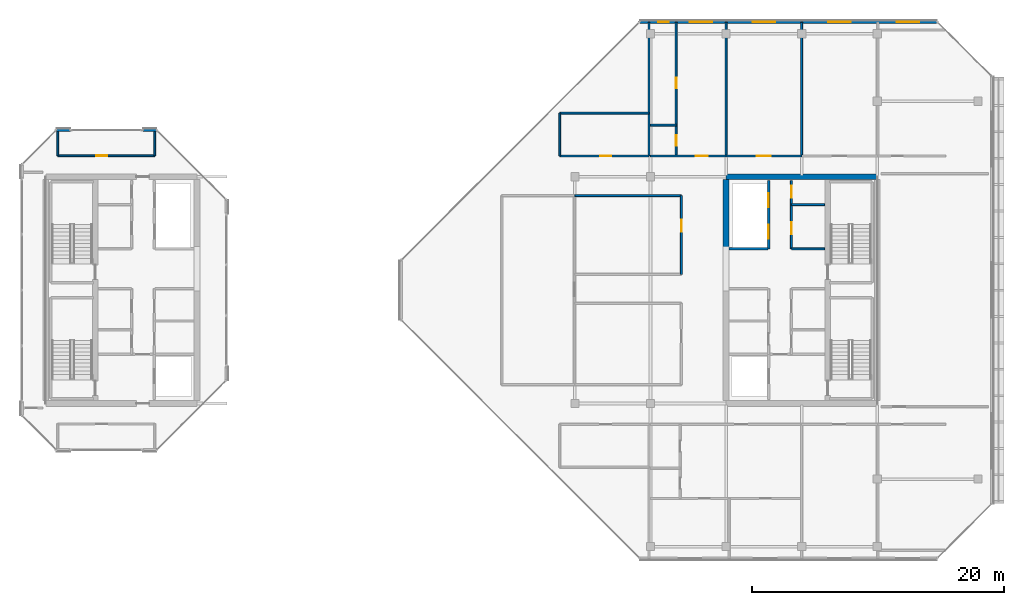
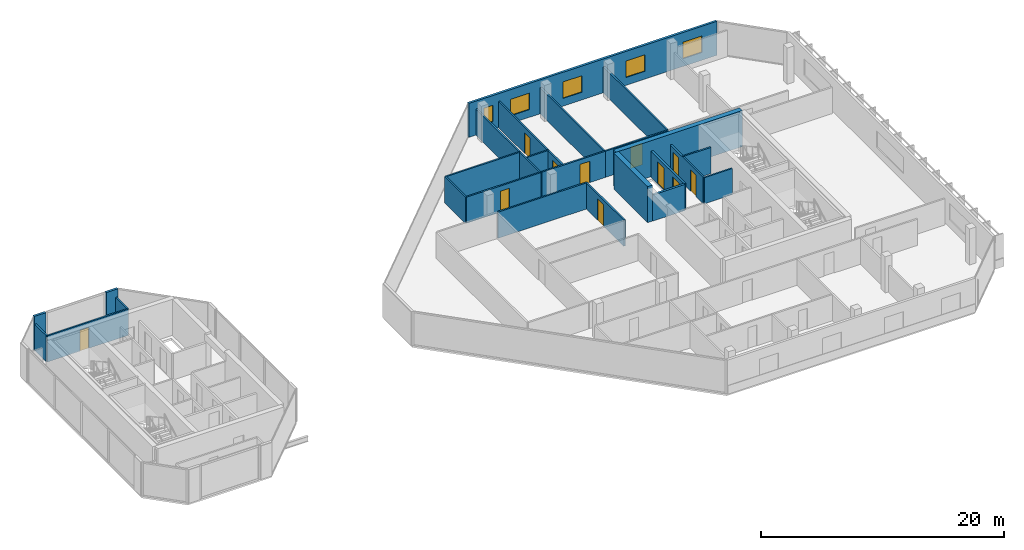
# One storey, part 23 of 28: 25 walls, 11 doors, 5 windows, 16 openings.
"""IFC4 building model written with IfcOpenShell, lengths in metres."""

from ifc_helpers import new_model, si_unit, direction, frame, frame_2d, origin, place, context, subcontext, project, spatial, rectangle, extrude, material, layer, layer_set, type_object, element, fill, save


model = new_model("IFC4")

# Units and contexts
model_context = context("Model", 3, precision=1e-05, world=origin(), true_north=direction((0.0, 1.0)))
body_context = subcontext(model_context, "Body", "Model", "MODEL_VIEW")
ifc_project = project(units=[si_unit("LENGTHUNIT", "METRE"), si_unit("AREAUNIT", "SQUARE_METRE"), si_unit("VOLUMEUNIT", "CUBIC_METRE"), si_unit("PLANEANGLEUNIT", "RADIAN"), si_unit("MASSUNIT", "GRAM", prefix="KILO")], contexts=[model_context])

# Site, building, storey
site_placement = place(None, origin())
site = spatial("IfcSite", under=ifc_project, at=site_placement, CompositionType="ELEMENT")
building_placement = place(site_placement, origin())
building = spatial("IfcBuilding", under=site, at=building_placement, Name="Tanjung Sevakor Pilgrim Tower", CompositionType="ELEMENT")
storey_placement = place(building_placement, frame((0.0, 0.0, 246.179931640625)))
storey = spatial("IfcBuildingStorey", under=building, at=storey_placement, Name="L69", CompositionType="ELEMENT", Elevation=246.179931640625)

# Walls
ifc_material_1 = material(Name="Concrete C60/75", Category="concrete")
ifc_layer_1 = layer(ifc_material_1, 0.449951171875)
ifc_layer_set_1 = layer_set([ifc_layer_1], Name="WALL-CW-450")
wall_type_1 = type_object("IfcWallType", Name="WALL-CW-450", PredefinedType="SHEAR", material=ifc_layer_set_1)
wall_1_placement = place(storey_placement, frame((90.0, 42.60009765625, 0.0), z_axis=(0.0, 0.0, 1.0), x_axis=(-1.0, 0.0, 0.0)))
element("IfcWall", 1, at=wall_1_placement, inside=storey, type_object=wall_type_1, Name="L69 E Core North Shear Wall", PredefinedType="SHEAR", context=body_context, shape_type="SweptSolid", body=[
    extrude(rectangle(XDim=12.0, YDim=0.449951171875, at=frame_2d((6.0, 0.0))), origin(), (0.0, 0.0, 1.0), 3.630126953125),
])
wall_2_placement = place(storey_placement, frame((78.0, 36.800048828125, 0.0), z_axis=(0.0, 0.0, 1.0), x_axis=(0.0, 1.0, 0.0)))
element("IfcWall", 2, at=wall_2_placement, inside=storey, type_object=wall_type_1, Name="L69 E Core Inner Shear Wall North", PredefinedType="SHEAR", context=body_context, shape_type="SweptSolid", body=[
    extrude(rectangle(XDim=5.574951171875, YDim=0.449951171875, at=frame_2d((2.78759765625, 0.0))), origin(), (0.0, 0.0, 1.0), 3.630126953125),
])
ifc_material_2 = material(Name="Concrete C40/50", Category="concrete")
ifc_layer_2 = layer(ifc_material_2, 0.14990234375)
ifc_layer_set_2 = layer_set([ifc_layer_2], Name="WT-COMP-150")
wall_type_2 = type_object("IfcWallType", Name="WT-COMP-150", PredefinedType="SOLIDWALL", material=ifc_layer_set_2)
for number, where, z_axis, x_axis, name in (
    (3, (83.199951171875, 36.8798828125, 0.0), (0.0, 0.0, 1.0), (1.0, 0.0, 0.0), "L69 Partition IW-L69-022"),
    (4, (83.199951171875, 40.389892578125, 0.0), (0.0, 0.0, 1.0), (1.0, 0.0, 0.0), "L69 Partition IW-L69-023"),
):
    element("IfcWall", number, at=place(storey_placement, frame(where, z_axis=z_axis, x_axis=x_axis)), inside=storey, type_object=wall_type_2, Name=name, PredefinedType="SOLIDWALL", context=body_context, shape_type="SweptSolid", body=[
        extrude(rectangle(XDim=2.630126953125, YDim=0.14990234375, at=frame_2d((1.31494140625, 0.0))), origin(), (0.0, 0.0, 1.0), 2.6298828125),
    ])

# Wall, openings, doors
wall_3_placement = place(storey_placement, frame((83.179931640625, 36.8798828125, 0.0), z_axis=(0.0, 0.0, 1.0), x_axis=(0.0, 1.0, 0.0)))
wall_3 = element("IfcWall", 5, at=wall_3_placement, inside=storey, type_object=wall_type_2, Name="L69 Partition IW-L69-024", PredefinedType="SOLIDWALL", context=body_context, shape_type="SweptSolid", body=[
    extrude(rectangle(XDim=5.420166015625, YDim=0.14990234375, at=frame_2d((2.7099609375, 0.0))), origin(), (0.0, 0.0, 1.0), 2.6298828125),
])
opening_1_placement = place(wall_3_placement, frame((1.14990234375, 0.0, 0.0)))
opening_1 = element("IfcOpeningElement", 6, at=opening_1_placement, cuts=wall_3, Name="Opening ID-FD2", PredefinedType="OPENING", context=body_context, shape_type="SweptSolid", body=[
    extrude(rectangle(XDim=0.949951171875, YDim=2.14990234375, at=frame_2d((0.47509765625, 1.074951171875))), frame((0.0, 0.0849609375, 0.0), z_axis=(0.0, -1.0, 0.0), x_axis=(1.0, 0.0, 0.0)), (0.0, 0.0, 1.0), 0.169921875),
])
opening_2_placement = place(wall_3_placement, frame((4.050048828125, 0.0, 0.0)))
opening_2 = element("IfcOpeningElement", 7, at=opening_2_placement, cuts=wall_3, Name="Opening ID-FD2", PredefinedType="OPENING", context=body_context, shape_type="SweptSolid", body=[
    extrude(rectangle(XDim=0.949951171875, YDim=2.14990234375, at=frame_2d((0.47509765625, 1.074951171875))), frame((0.0, 0.0849609375, 0.0), z_axis=(0.0, -1.0, 0.0), x_axis=(1.0, 0.0, 0.0)), (0.0, 0.0, 1.0), 0.169921875),
])
ifc_material_3 = material(Name="Fire-Rated Timber", Category="wood")
door_type_1 = type_object("IfcDoorType", Name="DT-FIRE-950", OperationType="NOTDEFINED", PredefinedType="DOOR", material=ifc_material_3)
door_1_placement = place(opening_1_placement, origin())
door_1 = element("IfcDoor", 8, at=door_1_placement, inside=storey, type_object=door_type_1, Name="L69 Core Study Room Door", OperationType="SINGLE_SWING_LEFT", OverallHeight=2.14990234375, OverallWidth=0.949951171875, PredefinedType="DOOR", context=body_context, shape_type="SweptSolid", body=[
    extrude(rectangle(XDim=0.949951171875, YDim=2.14990234375, at=frame_2d((0.47509765625, 1.074951171875))), frame((0.0, 0.02490234375, 0.0), z_axis=(0.0, -1.0, 0.0), x_axis=(1.0, 0.0, 0.0)), (0.0, 0.0, 1.0), 0.050048828125),
])
fill(opening_1, door_1)
door_2_placement = place(opening_2_placement, origin())
door_2 = element("IfcDoor", 9, at=door_2_placement, inside=storey, type_object=door_type_1, Name="L69 Service Store Door", OperationType="SINGLE_SWING_RIGHT", OverallHeight=2.14990234375, OverallWidth=0.949951171875, PredefinedType="DOOR", context=body_context, shape_type="SweptSolid", body=[
    extrude(rectangle(XDim=0.949951171875, YDim=2.14990234375, at=frame_2d((0.47509765625, 1.074951171875))), frame((0.0, 0.02490234375, 0.0), z_axis=(0.0, -1.0, 0.0), x_axis=(1.0, 0.0, 0.0)), (0.0, 0.0, 1.0), 0.050048828125),
])
fill(opening_2, door_2)

# Wall, opening, door
wall_4_placement = place(storey_placement, frame((24.949951171875, 44.27001953125, 0.0), z_axis=(0.0, 0.0, 1.0), x_axis=(1.0, 0.0, 0.0)))
wall_4 = element("IfcWall", 10, at=wall_4_placement, inside=storey, type_object=wall_type_2, Name="L69 Partition IW-L69-032", PredefinedType="SOLIDWALL", context=body_context, shape_type="SweptSolid", body=[
    extrude(rectangle(XDim=7.699951171875, YDim=0.14990234375, at=frame_2d((3.85009765625, 0.0))), origin(), (0.0, 0.0, 1.0), 2.6298828125),
])
opening_3_placement = place(wall_4_placement, frame((3.074951171875, 0.0, 0.0)))
opening_3 = element("IfcOpeningElement", 11, at=opening_3_placement, cuts=wall_4, Name="Opening ID-WC1", PredefinedType="OPENING", context=body_context, shape_type="SweptSolid", body=[
    extrude(rectangle(XDim=0.85009765625, YDim=2.10009765625, at=frame_2d((0.425048828125, 1.050048828125))), frame((0.0, 0.0849609375, 0.0), z_axis=(0.0, -1.0, 0.0), x_axis=(1.0, 0.0, 0.0)), (0.0, 0.0, 1.0), 0.169921875),
])
ifc_material_4 = material(Name="Moisture-Resistant Timber", Category="wood")
door_type_2 = type_object("IfcDoorType", Name="DT-INT-850", OperationType="NOTDEFINED", PredefinedType="DOOR", material=ifc_material_4)
door_3_placement = place(opening_3_placement, origin())
door_3 = element("IfcDoor", 12, at=door_3_placement, inside=storey, type_object=door_type_2, Name="L69 West Peak North Observatory Door", OperationType="SINGLE_SWING_LEFT", OverallHeight=2.10009765625, OverallWidth=0.85009765625, PredefinedType="DOOR", context=body_context, shape_type="SweptSolid", body=[
    extrude(rectangle(XDim=0.85009765625, YDim=2.10009765625, at=frame_2d((0.425048828125, 1.050048828125))), frame((0.0, 0.02490234375, 0.0), z_axis=(0.0, -1.0, 0.0), x_axis=(1.0, 0.0, 0.0)), (0.0, 0.0, 1.0), 0.050048828125),
])
fill(opening_3, door_3)

# Walls
for number, where, z_axis, x_axis, name in (
    (13, (24.949951171875, 44.27001953125, 0.0), (0.0, 0.0, 1.0), (0.0, 1.0, 0.0), "L69 Partition IW-L69-033"),
    (14, (32.64990234375, 44.27001953125, 0.0), (0.0, 0.0, 1.0), (0.0, 1.0, 0.0), "L69 Partition IW-L69-034"),
):
    element("IfcWall", number, at=place(storey_placement, frame(where, z_axis=z_axis, x_axis=x_axis)), inside=storey, type_object=wall_type_2, Name=name, PredefinedType="SOLIDWALL", context=body_context, shape_type="SweptSolid", body=[
        extrude(rectangle(XDim=2.010009765625, YDim=0.14990234375, at=frame_2d((1.0048828125, 0.0))), origin(), (0.0, 0.0, 1.0), 2.6298828125),
    ])

# Wall, opening, door
wall_5_placement = place(storey_placement, frame((64.800048828125, 44.25, 0.0), z_axis=(0.0, 0.0, 1.0), x_axis=(1.0, 0.0, 0.0)))
wall_5 = element("IfcWall", 15, at=wall_5_placement, inside=storey, type_object=wall_type_2, Name="L69 Partition IW-L69-039", PredefinedType="SOLIDWALL", context=body_context, shape_type="SweptSolid", body=[
    extrude(rectangle(XDim=7.079833984375, YDim=0.14990234375, at=frame_2d((3.5400390625, 0.0))), origin(), (0.0, 0.0, 1.0), 2.6298828125),
])
opening_4_placement = place(wall_5_placement, frame((3.22509765625, 0.0, 0.0)))
opening_4 = element("IfcOpeningElement", 16, at=opening_4_placement, cuts=wall_5, Name="Opening ID-WC1", PredefinedType="OPENING", context=body_context, shape_type="SweptSolid", body=[
    extrude(rectangle(XDim=0.85009765625, YDim=2.10009765625, at=frame_2d((0.425048828125, 1.050048828125))), frame((0.0, 0.0849609375, 0.0), z_axis=(0.0, -1.0, 0.0), x_axis=(1.0, 0.0, 0.0)), (0.0, 0.0, 1.0), 0.169921875),
])
door_4_placement = place(opening_4_placement, origin())
door_4 = element("IfcDoor", 17, at=door_4_placement, inside=storey, type_object=door_type_2, Name="L69 NW Crown Library Door", OperationType="SINGLE_SWING_LEFT", OverallHeight=2.10009765625, OverallWidth=0.85009765625, PredefinedType="DOOR", context=body_context, shape_type="SweptSolid", body=[
    extrude(rectangle(XDim=0.85009765625, YDim=2.10009765625, at=frame_2d((0.425048828125, 1.050048828125))), frame((0.0, 0.02490234375, 0.0), z_axis=(0.0, -1.0, 0.0), x_axis=(1.0, 0.0, 0.0)), (0.0, 0.0, 1.0), 0.050048828125),
])
fill(opening_4, door_4)

# Walls
wall_6_placement = place(storey_placement, frame((64.800048828125, 47.64990234375, 0.0), z_axis=(0.0, 0.0, 1.0), x_axis=(1.0, 0.0, 0.0)))
element("IfcWall", 18, at=wall_6_placement, inside=storey, type_object=wall_type_2, Name="L69 Partition IW-L69-040", PredefinedType="SOLIDWALL", context=body_context, shape_type="SweptSolid", body=[
    extrude(rectangle(XDim=7.079833984375, YDim=0.14990234375, at=frame_2d((3.5400390625, 0.0))), origin(), (0.0, 0.0, 1.0), 2.6298828125),
])
wall_7_placement = place(storey_placement, frame((64.800048828125, 44.25, 0.0), z_axis=(0.0, 0.0, 1.0), x_axis=(0.0, 1.0, 0.0)))
element("IfcWall", 19, at=wall_7_placement, inside=storey, type_object=wall_type_2, Name="L69 Partition IW-L69-041", PredefinedType="SOLIDWALL", context=body_context, shape_type="SweptSolid", body=[
    extrude(rectangle(XDim=3.39990234375, YDim=0.14990234375, at=frame_2d((1.699951171875, 0.0))), origin(), (0.0, 0.0, 1.0), 2.6298828125),
])
for number, where, z_axis, x_axis, name in (
    (20, (71.8798828125, 44.25, 0.0), (0.0, 0.0, 1.0), (0.0, 1.0, 0.0), "L69 Partition IW-L69-042"),
    (21, (78.0, 44.25, 0.0), (0.0, 0.0, 1.0), (0.0, 1.0, 0.0), "L69 Partition IW-L69-058"),
):
    element("IfcWall", number, at=place(storey_placement, frame(where, z_axis=z_axis, x_axis=x_axis)), inside=storey, type_object=wall_type_2, Name=name, PredefinedType="SOLIDWALL", context=body_context, shape_type="SweptSolid", body=[
        extrude(rectangle(XDim=10.610107421875, YDim=0.14990234375, at=frame_2d((5.30517578125, 0.0))), origin(), (0.0, 0.0, 1.0), 2.6298828125),
    ])

# Wall, opening, door
wall_8_placement = place(storey_placement, frame((72.0, 44.25, 0.0), z_axis=(0.0, 0.0, 1.0), x_axis=(1.0, 0.0, 0.0)))
wall_8 = element("IfcWall", 22, at=wall_8_placement, inside=storey, type_object=wall_type_2, Name="L69 Partition IW-L69-061", PredefinedType="SOLIDWALL", context=body_context, shape_type="SweptSolid", body=[
    extrude(rectangle(XDim=6.0, YDim=0.14990234375, at=frame_2d((3.0, 0.0))), origin(), (0.0, 0.0, 1.0), 2.6298828125),
])
opening_5_placement = place(wall_8_placement, frame((3.5849609375, 0.0, 0.0)))
opening_5 = element("IfcOpeningElement", 23, at=opening_5_placement, cuts=wall_8, Name="Opening ID-FD2", PredefinedType="OPENING", context=body_context, shape_type="SweptSolid", body=[
    extrude(rectangle(XDim=0.949951171875, YDim=2.14990234375, at=frame_2d((0.47509765625, 1.074951171875))), frame((0.0, 0.0849609375, 0.0), z_axis=(0.0, -1.0, 0.0), x_axis=(1.0, 0.0, 0.0)), (0.0, 0.0, 1.0), 0.169921875),
])
door_5_placement = place(opening_5_placement, origin())
door_5 = element("IfcDoor", 24, at=door_5_placement, inside=storey, type_object=door_type_1, Name="Hotel Guestroom Entrance", OperationType="SINGLE_SWING_LEFT", OverallHeight=2.14990234375, OverallWidth=0.949951171875, PredefinedType="DOOR", context=body_context, shape_type="SweptSolid", body=[
    extrude(rectangle(XDim=0.949951171875, YDim=2.14990234375, at=frame_2d((0.47509765625, 1.074951171875))), frame((0.0, 0.02490234375, 0.0), z_axis=(0.0, -1.0, 0.0), x_axis=(1.0, 0.0, 0.0)), (0.0, 0.0, 1.0), 0.050048828125),
])
fill(opening_5, door_5)

# Wall
wall_9_placement = place(storey_placement, frame((84.0, 44.25, 0.0), z_axis=(0.0, 0.0, 1.0), x_axis=(0.0, 1.0, 0.0)))
element("IfcWall", 25, at=wall_9_placement, inside=storey, type_object=wall_type_2, Name="L69 Partition IW-L69-062", PredefinedType="SOLIDWALL", context=body_context, shape_type="SweptSolid", body=[
    extrude(rectangle(XDim=10.610107421875, YDim=0.14990234375, at=frame_2d((5.30517578125, 0.0))), origin(), (0.0, 0.0, 1.0), 2.6298828125),
])

# Wall, opening, door
wall_10_placement = place(storey_placement, frame((78.0, 44.25, 0.0), z_axis=(0.0, 0.0, 1.0), x_axis=(1.0, 0.0, 0.0)))
wall_10 = element("IfcWall", 26, at=wall_10_placement, inside=storey, type_object=wall_type_2, Name="L69 Partition IW-L69-063", PredefinedType="SOLIDWALL", context=body_context, shape_type="SweptSolid", body=[
    extrude(rectangle(XDim=6.0, YDim=0.14990234375, at=frame_2d((3.0, 0.0))), origin(), (0.0, 0.0, 1.0), 2.6298828125),
])
opening_6_placement = place(wall_10_placement, frame((2.449951171875, 0.0, 0.0)))
opening_6 = element("IfcOpeningElement", 27, at=opening_6_placement, cuts=wall_10, Name="Opening ID-FD0", PredefinedType="OPENING", context=body_context, shape_type="SweptSolid", body=[
    extrude(rectangle(XDim=1.10009765625, YDim=2.14990234375, at=frame_2d((0.550048828125, 1.074951171875))), frame((0.0, 0.0849609375, 0.0), z_axis=(0.0, -1.0, 0.0), x_axis=(1.0, 0.0, 0.0)), (0.0, 0.0, 1.0), 0.169921875),
])
ifc_material_5 = material(Name="Fire-Rated Steel S355J2", Category="steel")
door_type_3 = type_object("IfcDoorType", Name="DT-FIRE-1100", OperationType="NOTDEFINED", PredefinedType="DOOR", material=ifc_material_5)
door_6_placement = place(opening_6_placement, origin())
door_6 = element("IfcDoor", 28, at=door_6_placement, inside=storey, type_object=door_type_3, Name="Seminar Room Door", OperationType="SINGLE_SWING_RIGHT", OverallHeight=2.14990234375, OverallWidth=1.10009765625, PredefinedType="DOOR", context=body_context, shape_type="SweptSolid", body=[
    extrude(rectangle(XDim=1.10009765625, YDim=2.14990234375, at=frame_2d((0.550048828125, 1.074951171875))), frame((0.0, 0.02490234375, 0.0), z_axis=(0.0, -1.0, 0.0), x_axis=(1.0, 0.0, 0.0)), (0.0, 0.0, 1.0), 0.050048828125),
])
fill(opening_6, door_6)

# Wall
wall_11_placement = place(storey_placement, frame((66.0, 41.10009765625, 0.0), z_axis=(0.0, 0.0, 1.0), x_axis=(1.0, 0.0, 0.0)))
element("IfcWall", 29, at=wall_11_placement, inside=storey, type_object=wall_type_2, Name="L69 Partition IW-L69-073", PredefinedType="SOLIDWALL", context=body_context, shape_type="SweptSolid", body=[
    extrude(rectangle(XDim=8.449951171875, YDim=0.14990234375, at=frame_2d((4.22509765625, 0.0))), origin(), (0.0, 0.0, 1.0), 2.6298828125),
])

# Wall, opening, door
wall_12_placement = place(storey_placement, frame((74.449951171875, 34.85009765625, 0.0), z_axis=(0.0, 0.0, 1.0), x_axis=(0.0, 1.0, 0.0)))
wall_12 = element("IfcWall", 30, at=wall_12_placement, inside=storey, type_object=wall_type_2, Name="L69 Partition IW-L69-074", PredefinedType="SOLIDWALL", context=body_context, shape_type="SweptSolid", body=[
    extrude(rectangle(XDim=6.25, YDim=0.14990234375, at=frame_2d((3.125, 0.0))), origin(), (0.0, 0.0, 1.0), 2.6298828125),
])
opening_7_placement = place(wall_12_placement, frame((3.375, 0.0, 0.0)))
opening_7 = element("IfcOpeningElement", 31, at=opening_7_placement, cuts=wall_12, Name="Opening ID-RM1", PredefinedType="OPENING", context=body_context, shape_type="SweptSolid", body=[
    extrude(rectangle(XDim=0.949951171875, YDim=2.14990234375, at=frame_2d((0.47509765625, 1.074951171875))), frame((0.0, 0.0849609375, 0.0), z_axis=(0.0, -1.0, 0.0), x_axis=(1.0, 0.0, 0.0)), (0.0, 0.0, 1.0), 0.169921875),
])
ifc_material_6 = material(Name="Hardwood Timber", Category="wood")
door_type_4 = type_object("IfcDoorType", Name="DT-INT-950", OperationType="NOTDEFINED", PredefinedType="DOOR", material=ifc_material_6)
door_7_placement = place(opening_7_placement, origin())
door_7 = element("IfcDoor", 32, at=door_7_placement, inside=storey, type_object=door_type_4, Name="L69 East Peak Reading Door", OperationType="SINGLE_SWING_RIGHT", OverallHeight=2.14990234375, OverallWidth=0.949951171875, PredefinedType="DOOR", context=body_context, shape_type="SweptSolid", body=[
    extrude(rectangle(XDim=0.949951171875, YDim=2.14990234375, at=frame_2d((0.47509765625, 1.074951171875))), frame((0.0, 0.02490234375, 0.0), z_axis=(0.0, -1.0, 0.0), x_axis=(1.0, 0.0, 0.0)), (0.0, 0.0, 1.0), 0.050048828125),
])
fill(opening_7, door_7)

# Walls
ifc_material_7 = material(Name="Precast concrete C45/55", Category="concrete")
ifc_layer_3 = layer(ifc_material_7, 0.219970703125)
ifc_layer_set_3 = layer_set([ifc_layer_3], Name="WT-EW-STN4")
wall_type_3 = type_object("IfcWallType", Name="WT-EW-STN4", PredefinedType="SOLIDWALL", material=ifc_layer_set_3)
wall_13_placement = place(storey_placement, frame((32.804443359375, 46.2900390625, 0.0), z_axis=(0.0, 0.0, 1.0), x_axis=(-1.0, 0.0, 0.0)))
element("IfcWall", 33, at=wall_13_placement, inside=storey, type_object=wall_type_3, Name="L69 WEST Crown Pier 4-1A", PredefinedType="SOLIDWALL", context=body_context, shape_type="SweptSolid", body=[
    extrude(rectangle(XDim=1.10009765625, YDim=0.219970703125, at=frame_2d((0.550048828125, 0.0))), origin(), (0.0, 0.0, 1.0), 3.409912109375),
])
wall_14_placement = place(storey_placement, frame((25.945556640625, 46.2900390625, 0.0), z_axis=(0.0, 0.0, 1.0), x_axis=(-1.0, 0.0, 0.0)))
element("IfcWall", 34, at=wall_14_placement, inside=storey, type_object=wall_type_3, Name="L69 WEST Crown Pier 4-1B", PredefinedType="SOLIDWALL", context=body_context, shape_type="SweptSolid", body=[
    extrude(rectangle(XDim=1.099853515625, YDim=0.219970703125, at=frame_2d((0.5498046875, 0.0))), origin(), (0.0, 0.0, 1.0), 3.409912109375),
])

# Wall, openings, windows
wall_15_placement = place(storey_placement, frame((94.75439453125, 54.889892578125, 0.0), z_axis=(0.0, 0.0, 1.0), x_axis=(-1.0, 0.0, 0.0)))
wall_15 = element("IfcWall", 35, at=wall_15_placement, inside=storey, type_object=wall_type_3, Name="L69 EAST Exterior Wall 5", PredefinedType="SOLIDWALL", context=body_context, shape_type="SweptSolid", body=[
    extrude(rectangle(XDim=23.60888671875, YDim=0.219970703125, at=frame_2d((11.804443359375, 0.0))), origin(), (0.0, 0.0, 1.0), 3.409912109375),
])
opening_8_placement = place(wall_15_placement, frame((1.42724609375, 0.0, 0.780029296875)))
opening_8 = element("IfcOpeningElement", 36, at=opening_8_placement, cuts=wall_15, Name="Opening WN-Z3-1660", PredefinedType="OPENING", context=body_context, shape_type="SweptSolid", body=[
    extrude(rectangle(XDim=1.800048828125, YDim=1.659912109375, at=frame_2d((0.89990234375, 0.830078125))), frame((0.0, 0.119873046875, 0.0), z_axis=(0.0, -1.0, 0.0), x_axis=(1.0, 0.0, 0.0)), (0.0, 0.0, 1.0), 0.239990234375),
])
opening_9_placement = place(wall_15_placement, frame((21.29931640625, 0.0, 0.780029296875)))
opening_9 = element("IfcOpeningElement", 37, at=opening_9_placement, cuts=wall_15, Name="Opening WN-SLM", PredefinedType="OPENING", context=body_context, shape_type="SweptSolid", body=[
    extrude(rectangle(XDim=0.85009765625, YDim=1.64990234375, at=frame_2d((0.425048828125, 0.824951171875))), frame((0.0, 0.119873046875, 0.0), z_axis=(0.0, -1.0, 0.0), x_axis=(1.0, 0.0, 0.0)), (0.0, 0.0, 1.0), 0.239990234375),
])
opening_10_placement = place(wall_15_placement, frame((17.844482421875, 0.0, 0.780029296875)))
opening_10 = element("IfcOpeningElement", 38, at=opening_10_placement, cuts=wall_15, Name="Opening WN-Z3-1660", PredefinedType="OPENING", context=body_context, shape_type="SweptSolid", body=[
    extrude(rectangle(XDim=1.800048828125, YDim=1.659912109375, at=frame_2d((0.89990234375, 0.830078125))), frame((0.0, 0.119873046875, 0.0), z_axis=(0.0, -1.0, 0.0), x_axis=(1.0, 0.0, 0.0)), (0.0, 0.0, 1.0), 0.239990234375),
])
opening_11_placement = place(wall_15_placement, frame((12.8544921875, 0.0, 0.780029296875)))
opening_11 = element("IfcOpeningElement", 39, at=opening_11_placement, cuts=wall_15, Name="Opening WN-Z3-1660", PredefinedType="OPENING", context=body_context, shape_type="SweptSolid", body=[
    extrude(rectangle(XDim=1.800048828125, YDim=1.659912109375, at=frame_2d((0.89990234375, 0.830078125))), frame((0.0, 0.119873046875, 0.0), z_axis=(0.0, -1.0, 0.0), x_axis=(1.0, 0.0, 0.0)), (0.0, 0.0, 1.0), 0.239990234375),
])
opening_12_placement = place(wall_15_placement, frame((6.8544921875, 0.0, 0.780029296875)))
opening_12 = element("IfcOpeningElement", 40, at=opening_12_placement, cuts=wall_15, Name="Opening WN-Z3-1660", PredefinedType="OPENING", context=body_context, shape_type="SweptSolid", body=[
    extrude(rectangle(XDim=1.800048828125, YDim=1.659912109375, at=frame_2d((0.89990234375, 0.830078125))), frame((0.0, 0.119873046875, 0.0), z_axis=(0.0, -1.0, 0.0), x_axis=(1.0, 0.0, 0.0)), (0.0, 0.0, 1.0), 0.239990234375),
])
ifc_material_8 = material(Name="Thermally Broken Aluminium and Low-E Glass", Category="aluminium")
window_type_1 = type_object("IfcWindowType", Name="WTYP-WN-SLM", PartitioningType="SINGLE_PANEL", PredefinedType="WINDOW", material=ifc_material_8)
window_1_placement = place(opening_9_placement, origin())
window_1 = element("IfcWindow", 41, at=window_1_placement, inside=storey, type_object=window_type_1, Name="L69 Facade Window 02", OverallHeight=1.64990234375, OverallWidth=0.85009765625, PartitioningType="SINGLE_PANEL", PredefinedType="WINDOW", context=body_context, shape_type="SweptSolid", body=[
    extrude(rectangle(XDim=0.85009765625, YDim=1.64990234375, at=frame_2d((0.425048828125, 0.824951171875))), frame((0.0, 0.030029296875, 0.0), z_axis=(0.0, -1.0, 0.0), x_axis=(1.0, 0.0, 0.0)), (0.0, 0.0, 1.0), 0.06005859375),
])
fill(opening_9, window_1)
ifc_material_9 = material(Name="Thermally Broken Aluminium and Low-E Glass", Category="aluminium")
window_type_2 = type_object("IfcWindowType", Name="WTYP-WN-Z3-1660", PartitioningType="DOUBLE_PANEL_VERTICAL", PredefinedType="WINDOW", material=ifc_material_9)
window_2_placement = place(opening_8_placement, origin())
window_2 = element("IfcWindow", 42, at=window_2_placement, inside=storey, type_object=window_type_2, Name="L69 Facade Window 01", OverallHeight=1.659912109375, OverallWidth=1.800048828125, PartitioningType="SINGLE_PANEL", PredefinedType="WINDOW", context=body_context, shape_type="SweptSolid", body=[
    extrude(rectangle(XDim=1.800048828125, YDim=1.659912109375, at=frame_2d((0.89990234375, 0.830078125))), frame((0.0, 0.030029296875, 0.0), z_axis=(0.0, -1.0, 0.0), x_axis=(1.0, 0.0, 0.0)), (0.0, 0.0, 1.0), 0.06005859375),
])
fill(opening_8, window_2)
window_3_placement = place(opening_10_placement, origin())
window_3 = element("IfcWindow", 43, at=window_3_placement, inside=storey, type_object=window_type_2, Name="L69 Facade Window 03", OverallHeight=1.659912109375, OverallWidth=1.800048828125, PartitioningType="SINGLE_PANEL", PredefinedType="WINDOW", context=body_context, shape_type="SweptSolid", body=[
    extrude(rectangle(XDim=1.800048828125, YDim=1.659912109375, at=frame_2d((0.89990234375, 0.830078125))), frame((0.0, 0.030029296875, 0.0), z_axis=(0.0, -1.0, 0.0), x_axis=(1.0, 0.0, 0.0)), (0.0, 0.0, 1.0), 0.06005859375),
])
fill(opening_10, window_3)
window_4_placement = place(opening_11_placement, origin())
window_4 = element("IfcWindow", 44, at=window_4_placement, inside=storey, type_object=window_type_2, Name="L69 Facade Window 04", OverallHeight=1.659912109375, OverallWidth=1.800048828125, PartitioningType="SINGLE_PANEL", PredefinedType="WINDOW", context=body_context, shape_type="SweptSolid", body=[
    extrude(rectangle(XDim=1.800048828125, YDim=1.659912109375, at=frame_2d((0.89990234375, 0.830078125))), frame((0.0, 0.030029296875, 0.0), z_axis=(0.0, -1.0, 0.0), x_axis=(1.0, 0.0, 0.0)), (0.0, 0.0, 1.0), 0.06005859375),
])
fill(opening_11, window_4)
window_5_placement = place(opening_12_placement, origin())
window_5 = element("IfcWindow", 45, at=window_5_placement, inside=storey, type_object=window_type_2, Name="L69 Facade Window 05", OverallHeight=1.659912109375, OverallWidth=1.800048828125, PartitioningType="SINGLE_PANEL", PredefinedType="WINDOW", context=body_context, shape_type="SweptSolid", body=[
    extrude(rectangle(XDim=1.800048828125, YDim=1.659912109375, at=frame_2d((0.89990234375, 0.830078125))), frame((0.0, 0.030029296875, 0.0), z_axis=(0.0, -1.0, 0.0), x_axis=(1.0, 0.0, 0.0)), (0.0, 0.0, 1.0), 0.06005859375),
])
fill(opening_12, window_5)

# Wall
ifc_material_10 = material(Name="Concrete C40/50", Category="concrete")
ifc_layer_4 = layer(ifc_material_10, 0.199951171875)
ifc_layer_set_4 = layer_set([ifc_layer_4], Name="WT-FPRT-200")
wall_type_4 = type_object("IfcWallType", Name="WT-FPRT-200", PredefinedType="SOLIDWALL", material=ifc_layer_set_4)
wall_16_placement = place(storey_placement, frame((78.2451171875, 36.8798828125, 0.0), z_axis=(0.0, 0.0, 1.0), x_axis=(1.0, 0.0, 0.0)))
element("IfcWall", 46, at=wall_16_placement, inside=storey, type_object=wall_type_4, Name="L69 Partition IW-L69-025", PredefinedType="SOLIDWALL", context=body_context, shape_type="SweptSolid", body=[
    extrude(rectangle(XDim=3.074951171875, YDim=0.199951171875, at=frame_2d((1.53759765625, 0.0))), origin(), (0.0, 0.0, 1.0), 2.6298828125),
])

# Wall, openings, doors
wall_17_placement = place(storey_placement, frame((81.3798828125, 36.8798828125, 0.0), z_axis=(0.0, 0.0, 1.0), x_axis=(0.0, 1.0, 0.0)))
wall_17 = element("IfcWall", 47, at=wall_17_placement, inside=storey, type_object=wall_type_4, Name="L69 Partition IW-L69-026", PredefinedType="SOLIDWALL", context=body_context, shape_type="SweptSolid", body=[
    extrude(rectangle(XDim=5.420166015625, YDim=0.199951171875, at=frame_2d((2.7099609375, 0.0))), origin(), (0.0, 0.0, 1.0), 2.6298828125),
])
opening_13_placement = place(wall_17_placement, frame((0.800048828125, 0.0, 0.0)))
opening_13 = element("IfcOpeningElement", 48, at=opening_13_placement, cuts=wall_17, Name="Opening LD-1100", PredefinedType="OPENING", context=body_context, shape_type="SweptSolid", body=[
    extrude(rectangle(XDim=1.10009765625, YDim=2.199951171875, at=frame_2d((0.550048828125, 1.10009765625))), frame((0.0, 0.10986328125, 0.0), z_axis=(0.0, -1.0, 0.0), x_axis=(1.0, 0.0, 0.0)), (0.0, 0.0, 1.0), 0.219970703125),
])
opening_14_placement = place(wall_17_placement, frame((3.300048828125, 0.0, 0.0)))
opening_14 = element("IfcOpeningElement", 49, at=opening_14_placement, cuts=wall_17, Name="Opening LD-1100", PredefinedType="OPENING", context=body_context, shape_type="SweptSolid", body=[
    extrude(rectangle(XDim=1.10009765625, YDim=2.199951171875, at=frame_2d((0.550048828125, 1.10009765625))), frame((0.0, 0.10986328125, 0.0), z_axis=(0.0, -1.0, 0.0), x_axis=(1.0, 0.0, 0.0)), (0.0, 0.0, 1.0), 0.219970703125),
])
ifc_material_11 = material(Name="Brushed Stainless Steel S355J2", Category="steel")
door_type_5 = type_object("IfcDoorType", Name="DT-LIFT-1100", OperationType="SLIDING_TO_LEFT", PredefinedType="DOOR", material=ifc_material_11)
door_8_placement = place(opening_13_placement, origin())
door_8 = element("IfcDoor", 50, at=door_8_placement, inside=storey, type_object=door_type_5, Name="LD-PLH1-E", OperationType="SLIDING_TO_LEFT", OverallHeight=2.199951171875, OverallWidth=1.10009765625, PredefinedType="DOOR", context=body_context, shape_type="SweptSolid", body=[
    extrude(rectangle(XDim=1.10009765625, YDim=2.199951171875, at=frame_2d((0.550048828125, 1.10009765625))), frame((0.0, 0.02490234375, 0.0), z_axis=(0.0, -1.0, 0.0), x_axis=(1.0, 0.0, 0.0)), (0.0, 0.0, 1.0), 0.050048828125),
])
fill(opening_13, door_8)
door_9_placement = place(opening_14_placement, origin())
door_9 = element("IfcDoor", 51, at=door_9_placement, inside=storey, type_object=door_type_5, Name="LD-PLH2-E", OperationType="SLIDING_TO_RIGHT", OverallHeight=2.199951171875, OverallWidth=1.10009765625, PredefinedType="DOOR", context=body_context, shape_type="SweptSolid", body=[
    extrude(rectangle(XDim=1.10009765625, YDim=2.199951171875, at=frame_2d((0.550048828125, 1.10009765625))), frame((0.0, 0.02490234375, 0.0), z_axis=(0.0, -1.0, 0.0), x_axis=(1.0, 0.0, 0.0)), (0.0, 0.0, 1.0), 0.050048828125),
])
fill(opening_14, door_9)

# Wall
ifc_material_12 = material(Name="Gypsum Board Partition", Category="gypsum board")
ifc_layer_5 = layer(ifc_material_12, 0.14990234375)
ifc_layer_set_5 = layer_set([ifc_layer_5], Name="WT-PART-150")
wall_type_5 = type_object("IfcWallType", Name="WT-PART-150", PredefinedType="PARTITIONING", material=ifc_layer_set_5)
wall_18_placement = place(storey_placement, frame((72.0, 46.699951171875, 0.0), z_axis=(0.0, 0.0, 1.0), x_axis=(1.0, 0.0, 0.0)))
element("IfcWall", 52, at=wall_18_placement, inside=storey, type_object=wall_type_5, Name="L69 Partition IW-L69-059", PredefinedType="PARTITIONING", context=body_context, shape_type="SweptSolid", body=[
    extrude(rectangle(XDim=2.0400390625, YDim=0.14990234375, at=frame_2d((1.02001953125, 0.0))), origin(), (0.0, 0.0, 1.0), 2.6298828125),
])

# Wall, openings, doors
wall_19_placement = place(storey_placement, frame((74.0400390625, 44.25, 0.0), z_axis=(0.0, 0.0, 1.0), x_axis=(0.0, 1.0, 0.0)))
wall_19 = element("IfcWall", 53, at=wall_19_placement, inside=storey, type_object=wall_type_5, Name="L69 Partition IW-L69-060", PredefinedType="PARTITIONING", context=body_context, shape_type="SweptSolid", body=[
    extrude(rectangle(XDim=10.610107421875, YDim=0.14990234375, at=frame_2d((5.30517578125, 0.0))), origin(), (0.0, 0.0, 1.0), 2.6298828125),
])
opening_15_placement = place(wall_19_placement, frame((0.800048828125, 0.0, 0.0)))
opening_15 = element("IfcOpeningElement", 54, at=opening_15_placement, cuts=wall_19, Name="Opening ID-WC1", PredefinedType="OPENING", context=body_context, shape_type="SweptSolid", body=[
    extrude(rectangle(XDim=0.85009765625, YDim=2.10009765625, at=frame_2d((0.425048828125, 1.050048828125))), frame((0.0, 0.0849609375, 0.0), z_axis=(0.0, -1.0, 0.0), x_axis=(1.0, 0.0, 0.0)), (0.0, 0.0, 1.0), 0.169921875),
])
opening_16_placement = place(wall_19_placement, frame((5.3740234375, 0.0, 0.0)))
opening_16 = element("IfcOpeningElement", 55, at=opening_16_placement, cuts=wall_19, Name="Opening ID-WC1", PredefinedType="OPENING", context=body_context, shape_type="SweptSolid", body=[
    extrude(rectangle(XDim=0.85009765625, YDim=2.10009765625, at=frame_2d((0.425048828125, 1.050048828125))), frame((0.0, 0.0849609375, 0.0), z_axis=(0.0, -1.0, 0.0), x_axis=(1.0, 0.0, 0.0)), (0.0, 0.0, 1.0), 0.169921875),
])
door_10_placement = place(opening_15_placement, origin())
door_10 = element("IfcDoor", 56, at=door_10_placement, inside=storey, type_object=door_type_2, Name="Bathroom Door", OperationType="SINGLE_SWING_LEFT", OverallHeight=2.10009765625, OverallWidth=0.85009765625, PredefinedType="DOOR", context=body_context, shape_type="SweptSolid", body=[
    extrude(rectangle(XDim=0.85009765625, YDim=2.10009765625, at=frame_2d((0.425048828125, 1.050048828125))), frame((0.0, 0.02490234375, 0.0), z_axis=(0.0, -1.0, 0.0), x_axis=(1.0, 0.0, 0.0)), (0.0, 0.0, 1.0), 0.050048828125),
])
fill(opening_15, door_10)
door_11_placement = place(opening_16_placement, origin())
door_11 = element("IfcDoor", 57, at=door_11_placement, inside=storey, type_object=door_type_2, Name="Study Nook Door", OperationType="SINGLE_SWING_RIGHT", OverallHeight=2.10009765625, OverallWidth=0.85009765625, PredefinedType="DOOR", context=body_context, shape_type="SweptSolid", body=[
    extrude(rectangle(XDim=0.85009765625, YDim=2.10009765625, at=frame_2d((0.425048828125, 1.050048828125))), frame((0.0, 0.02490234375, 0.0), z_axis=(0.0, -1.0, 0.0), x_axis=(1.0, 0.0, 0.0)), (0.0, 0.0, 1.0), 0.050048828125),
])
fill(opening_16, door_11)

save(model, "model.ifc")
